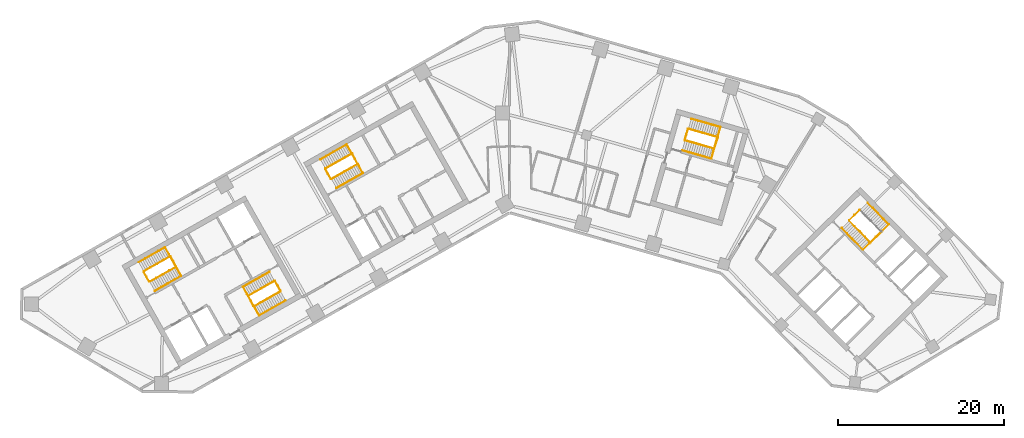
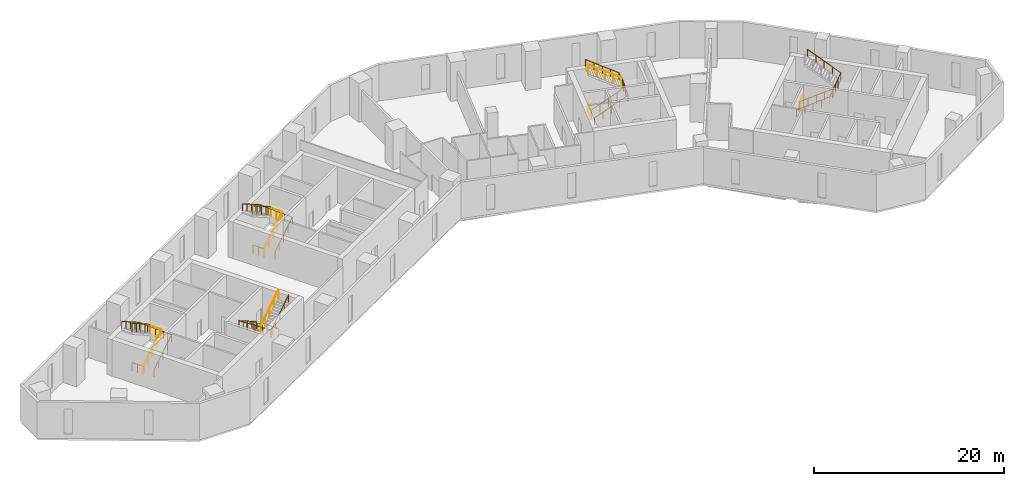
# One storey, part 9 of 10: 19 railings.
"""IFC4 building model written with IfcOpenShell, lengths in metres."""

import ifcopenshell
import ifcopenshell.guid

model = None  # the IFC model being written
_history = None  # IfcOwnerHistory: only IFC2X3 demands one
_inside = {}  # id of a spatial element -> (the spatial element, [elements in it])
_under = {}  # id of a project, library or spatial element -> (it, [spatial elements below it])
_declared = {}  # id of a project -> (the project, [libraries it declares])
_typed = {}  # id of a type object -> (the type object, [elements of that type])
_made_of = {}  # id of a material, layer set ... -> (it, [elements and type objects made of it])


def new_model(schema):
    """Start an empty IFC model of exactly this schema.

    Asked for "IFC4X3", IfcOpenShell would pick the latest addendum, in which some entities
    have other attributes; the version numbers below select the first issue.
    IFC2X3 requires an IfcOwnerHistory on every rooted entity: one is made here for all.
    """
    global model, _history
    if schema == "IFC4X3":
        model = ifcopenshell.file(schema_version=(4, 3, 0, 0))
    else:
        model = ifcopenshell.file(schema=schema)
    _inside.clear()
    _under.clear()
    _declared.clear()
    _typed.clear()
    _made_of.clear()
    _history = None
    if model.schema == "IFC2X3":
        org = make("IfcOrganization", Name="unknown")
        user = make(
            "IfcPersonAndOrganization",
            ThePerson=make("IfcPerson", FamilyName="unknown"),
            TheOrganization=org,
        )
        app = make(
            "IfcApplication",
            ApplicationDeveloper=org,
            Version="unknown",
            ApplicationFullName="unknown",
            ApplicationIdentifier="unknown",
        )
        _history = make(
            "IfcOwnerHistory",
            OwningUser=user,
            OwningApplication=app,
            ChangeAction="ADDED",
            CreationDate=0,
        )
    return model


def make(cls, **values):
    """One entity of the class cls with the attributes given. An attribute that is None is left unset."""
    return model.create_entity(
        cls, **{name: value for name, value in values.items() if value is not None}
    )


def rooted(cls, **values):
    """An entity with a GlobalId (a new one), such as an element, a storey or a relation."""
    return make(cls, GlobalId=ifcopenshell.guid.new(), OwnerHistory=_history, **values)


def si_unit(unit_type, name, prefix=None):
    """IfcSIUnit, for example si_unit("LENGTHUNIT", "METRE", prefix="MILLI")."""
    return make("IfcSIUnit", UnitType=unit_type, Prefix=prefix, Name=name)


def assignment(units):
    """IfcUnitAssignment: the units of a project."""
    return None if units is None else make("IfcUnitAssignment", Units=units)


def point(xyz):
    """IfcCartesianPoint."""
    return None if xyz is None else make("IfcCartesianPoint", Coordinates=xyz)


def direction(xyz):
    """IfcDirection."""
    return None if xyz is None else make("IfcDirection", DirectionRatios=xyz)


def frame(location, z_axis=None, x_axis=None):
    """IfcAxis2Placement3D, a coordinate frame: its origin and axes. An axis left out is left unset."""
    return make(
        "IfcAxis2Placement3D",
        Location=point(location),
        Axis=direction(z_axis),
        RefDirection=direction(x_axis),
    )


def frame_2d(location, x_axis=None):
    """IfcAxis2Placement2D, a coordinate frame in the plane: its origin and x axis."""
    return make(
        "IfcAxis2Placement2D", Location=point(location), RefDirection=direction(x_axis)
    )


def origin():
    """The frame at (0, 0, 0) with its axes left unset."""
    return frame((0.0, 0.0, 0.0))


def origin_2d():
    """The frame at (0, 0) in the plane with its x axis left unset."""
    return frame_2d((0.0, 0.0))


def place(relative_to, where):
    """IfcLocalPlacement: puts the frame where relative to a parent placement (None: the world)."""
    return make(
        "IfcLocalPlacement", PlacementRelTo=relative_to, RelativePlacement=where
    )


def context(
    kind, dimensions, precision=None, world=None, true_north=None, identifier=None
):
    """IfcGeometricRepresentationContext, for example the 3D "Model" context."""
    return make(
        "IfcGeometricRepresentationContext",
        ContextIdentifier=identifier,
        ContextType=kind,
        CoordinateSpaceDimension=dimensions,
        Precision=precision,
        WorldCoordinateSystem=world,
        TrueNorth=true_north,
    )


def subcontext(parent, identifier, kind, view, scale=None):
    """IfcGeometricRepresentationSubContext, for example "Body" below "Model"."""
    return make(
        "IfcGeometricRepresentationSubContext",
        ContextIdentifier=identifier,
        ContextType=kind,
        ParentContext=parent,
        TargetScale=scale,
        TargetView=view,
    )


def project(units=None, contexts=None):
    """IfcProject with its units and contexts."""
    return rooted(
        "IfcProject",
        Name="project",
        RepresentationContexts=contexts,
        UnitsInContext=assignment(units),
    )


def spatial(cls, under=None, at=None, **own):
    """A site, building, storey or space (cls), placed at a placement, below another one or the project."""
    s = rooted(cls, ObjectPlacement=at, **own)
    if under is not None:
        _under.setdefault(under.id(), (under, []))[1].append(s)
    return s


def profile(cls, at=None, kind="AREA", **sizes):
    """A parametric profile (cls). Its sizes go by their IFC names, for example OverallWidth=200.0."""
    return make(cls, ProfileType=kind, Position=at, **sizes)


def circle(**sizes):
    """IfcCircleProfileDef."""
    return profile("IfcCircleProfileDef", **sizes)


def extrude(swept, where, along, depth):
    """IfcExtrudedAreaSolid: the profile swept, set in the frame where, extruded along a direction by depth."""
    return make(
        "IfcExtrudedAreaSolid",
        SweptArea=swept,
        Position=where,
        ExtrudedDirection=direction(along),
        Depth=depth,
    )


def shape(context_of_items, identifier, shape_type, items):
    """IfcShapeRepresentation: the items that make up one representation, for example the "Body"."""
    return make(
        "IfcShapeRepresentation",
        ContextOfItems=context_of_items,
        RepresentationIdentifier=identifier,
        RepresentationType=shape_type,
        Items=items,
    )


def material(Name=None, Category=None):
    """IfcMaterial."""
    return make("IfcMaterial", Name=Name, Category=Category)


def made_of(thing, what):
    """Note that an element or type object is made of a material, layer set ...; save() writes the relation."""
    if what is not None:
        _made_of.setdefault(what.id(), (what, []))[1].append(thing)
    return thing


def type_object(cls, material=None, **own):
    """A type object (cls), such as IfcWallType, which elements share."""
    return made_of(rooted(cls, **own), material)


def element(
    cls,
    number,
    at=None,
    inside=None,
    cuts=None,
    type_object=None,
    material=None,
    context=None,
    identifier="Body",
    shape_type=None,
    held_by="IfcProductDefinitionShape",
    body=None,
    shapes=None,
    **own,
):
    """One element of the class cls, such as IfcWall. Its Tag is "e" and its number.

    at: its placement. inside: the storey or other place that contains it. cuts: it is an
    opening in that element (IfcRelVoidsElement). A single representation is given by context,
    identifier, shape_type and body (its items); several are given by shapes. held_by: the class
    of the entity that holds the representations. save() writes the other relations.
    """
    e = rooted(cls, Tag="e%d" % number, ObjectPlacement=at, **own)
    if body is not None:
        shapes = [shape(context, identifier, shape_type, body)]
    if shapes is not None:
        e.Representation = make(held_by, Representations=shapes)
    if inside is not None:
        _inside.setdefault(inside.id(), (inside, []))[1].append(e)
    if cuts is not None:
        rooted(
            "IfcRelVoidsElement", RelatingBuildingElement=cuts, RelatedOpeningElement=e
        )
    if type_object is not None:
        _typed.setdefault(type_object.id(), (type_object, []))[1].append(e)
    return made_of(e, material)


def aggregate(whole, parts):
    """IfcRelAggregates: a whole, such as a stair, and the parts it consists of."""
    return rooted("IfcRelAggregates", RelatingObject=whole, RelatedObjects=parts)


def save(model, path):
    """Write the relations noted so far, then the file.

    IfcRelAggregates (storeys below a building ...), IfcRelContainedInSpatialStructure (elements
    in a storey), IfcRelDefinesByType, IfcRelAssociatesMaterial and IfcRelDeclares: one each for
    every whole, place, type object, material and project.
    """
    for whole, parts in _under.values():
        aggregate(whole, parts)
    for where, things in _inside.values():
        rooted(
            "IfcRelContainedInSpatialStructure",
            RelatedElements=things,
            RelatingStructure=where,
        )
    for kind, things in _typed.values():
        rooted("IfcRelDefinesByType", RelatedObjects=things, RelatingType=kind)
    for what, things in _made_of.values():
        rooted("IfcRelAssociatesMaterial", RelatedObjects=things, RelatingMaterial=what)
    for by, libraries in _declared.values():
        rooted("IfcRelDeclares", RelatingContext=by, RelatedDefinitions=libraries)
    model.write(path)


model = new_model("IFC4")

# Units and contexts
model_context = context("Model", 3, precision=1e-05, world=origin(), true_north=direction((0.0, 1.0)))
body_context = subcontext(model_context, "Body", "Model", "MODEL_VIEW")
ifc_project = project(units=[si_unit("LENGTHUNIT", "METRE"), si_unit("AREAUNIT", "SQUARE_METRE"), si_unit("VOLUMEUNIT", "CUBIC_METRE"), si_unit("PLANEANGLEUNIT", "RADIAN"), si_unit("MASSUNIT", "GRAM", prefix="KILO")], contexts=[model_context])

# Site, building, storey
site_placement = place(None, origin())
site = spatial("IfcSite", under=ifc_project, at=site_placement, CompositionType="ELEMENT")
building_placement = place(site_placement, origin())
building = spatial("IfcBuilding", under=site, at=building_placement, Name="Binnacle Exchange Tower", CompositionType="ELEMENT")
storey_placement = place(building_placement, frame((0.0, 0.0, 51.5)))
storey = spatial("IfcBuildingStorey", under=building, at=storey_placement, Name="L10", CompositionType="ELEMENT", Elevation=51.5)

# Railings
ifc_material_1 = material(Name="Steel guard rail", Category="steel")
railing_type_1 = type_object("IfcRailingType", Name="STAIR GUARD 1100", PredefinedType="GUARDRAIL", material=ifc_material_1)
railing_1_placement = place(storey_placement, frame((-43.26171875, 39.71728515625, 0.178466796875)))
element("IfcRailing", 1, at=railing_1_placement, inside=storey, type_object=railing_type_1, Name="L10 STA1 stair guard 1", PredefinedType="GUARDRAIL", context=body_context, shape_type="SweptSolid", body=[
    extrude(circle(Radius=0.02392578125, at=origin_2d()), frame((0.0, 0.0, 1.076171875), z_axis=(0.733795554141, 0.415191658331, 0.537735968274), x_axis=(-0.492450612189, 0.870340390052, 0.0)), (0.0, 0.0, 1.0), 4.317138671875),
    extrude(circle(Radius=0.02392578125, at=origin_2d()), frame((3.16796875, 1.79248046875, 3.3974609375), z_axis=(-0.460963092712, 0.887419307406, 0.0), x_axis=(-0.887419307406, -0.460963092712, 0.0)), (0.0, 0.0, 1.0), 1.40087890625),
    extrude(circle(Radius=0.02099609375, at=origin_2d()), origin(), (0.0, 0.0, 1.0), 1.052001953125),
    extrude(circle(Radius=0.02099609375, at=origin_2d()), frame((0.7919921875, 0.4482421875, 0.580322265625)), (0.0, 0.0, 1.0), 1.052001953125),
    extrude(circle(Radius=0.02099609375, at=origin_2d()), frame((1.583984375, 0.896240234375, 1.16064453125)), (0.0, 0.0, 1.0), 1.052001953125),
    extrude(circle(Radius=0.02099609375, at=origin_2d()), frame((2.3759765625, 1.34423828125, 1.7412109375)), (0.0, 0.0, 1.0), 1.052001953125),
    extrude(circle(Radius=0.02099609375, at=origin_2d()), frame((3.16796875, 1.79248046875, 2.321533203125)), (0.0, 0.0, 1.0), 1.052001953125),
    extrude(circle(Radius=0.02099609375, at=origin_2d()), frame((2.84521484375, 2.4140625, 2.321533203125)), (0.0, 0.0, 1.0), 1.052001953125),
    extrude(circle(Radius=0.02099609375, at=origin_2d()), frame((2.522216796875, 3.03564453125, 2.321533203125)), (0.0, 0.0, 1.0), 1.052001953125),
])
railing_2_placement = place(storey_placement, frame((-40.8076171875, 42.771728515625, 2.678466796875)))
element("IfcRailing", 2, at=railing_2_placement, inside=storey, type_object=railing_type_1, Name="L10 STA1 stair guard 2", PredefinedType="GUARDRAIL", context=body_context, shape_type="SweptSolid", body=[
    extrude(circle(Radius=0.02392578125, at=origin_2d()), frame((0.0, 0.0, 1.076171875), z_axis=(-0.733821652932, -0.415174429824, 0.537713654753), x_axis=(0.492421866095, -0.870356654361, 0.0)), (0.0, 0.0, 1.0), 4.3173828125),
    extrude(circle(Radius=0.02099609375, at=origin_2d()), origin(), (0.0, 0.0, 1.0), 1.052001953125),
    extrude(circle(Radius=0.02099609375, at=origin_2d()), frame((-0.7919921875, -0.4482421875, 0.580322265625)), (0.0, 0.0, 1.0), 1.052001953125),
    extrude(circle(Radius=0.02099609375, at=origin_2d()), frame((-1.583984375, -0.896240234375, 1.16064453125)), (0.0, 0.0, 1.0), 1.052001953125),
    extrude(circle(Radius=0.02099609375, at=origin_2d()), frame((-2.376220703125, -1.34423828125, 1.7412109375)), (0.0, 0.0, 1.0), 1.052001953125),
    extrude(circle(Radius=0.02099609375, at=origin_2d()), frame((-3.168212890625, -1.79248046875, 2.321533203125)), (0.0, 0.0, 1.0), 1.052001953125),
])
railing_3_placement = place(storey_placement, frame((-43.329833984375, 39.736328125, 0.0)))
element("IfcRailing", 3, at=railing_3_placement, inside=storey, type_object=railing_type_1, Name="L10 STA1 stair guard 3", PredefinedType="GUARDRAIL", context=body_context, shape_type="SweptSolid", body=[
    extrude(circle(Radius=0.02392578125, at=origin_2d()), frame((0.0, 0.0, 1.076171875), z_axis=(-0.4924922531, 0.870316827734, 0.0), x_axis=(-0.870316827734, -0.4924922531, 0.0)), (0.0, 0.0, 1.0), 1.349853515625),
    extrude(circle(Radius=0.02099609375, at=origin_2d()), origin(), (0.0, 0.0, 1.0), 1.052001953125),
    extrude(circle(Radius=0.02099609375, at=origin_2d()), frame((-0.33251953125, 0.58740234375, 0.0)), (0.0, 0.0, 1.0), 1.052001953125),
    extrude(circle(Radius=0.02099609375, at=origin_2d()), frame((-0.664794921875, 1.1748046875, 0.0)), (0.0, 0.0, 1.0), 1.052001953125),
])
railing_4_placement = place(storey_placement, frame((-28.265380859375, 39.814453125, 0.178466796875)))
element("IfcRailing", 4, at=railing_4_placement, inside=storey, type_object=railing_type_1, Name="L10 STA2 stair guard 1", PredefinedType="GUARDRAIL", context=body_context, shape_type="SweptSolid", body=[
    extrude(circle(Radius=0.02392578125, at=origin_2d()), frame((0.0, 0.0, 1.076171875), z_axis=(-0.733821652932, -0.415174429824, 0.537713654753), x_axis=(0.492421866095, -0.870356654361, 0.0)), (0.0, 0.0, 1.0), 4.3173828125),
    extrude(circle(Radius=0.02392578125, at=origin_2d()), frame((-3.168212890625, -1.79248046875, 3.3974609375), z_axis=(0.461100321709, -0.887348011391, 0.0), x_axis=(0.887348011391, 0.461100321709, 0.0)), (0.0, 0.0, 1.0), 1.40087890625),
    extrude(circle(Radius=0.02099609375, at=origin_2d()), origin(), (0.0, 0.0, 1.0), 1.052001953125),
    extrude(circle(Radius=0.02099609375, at=origin_2d()), frame((-0.7919921875, -0.4482421875, 0.580322265625)), (0.0, 0.0, 1.0), 1.052001953125),
    extrude(circle(Radius=0.02099609375, at=origin_2d()), frame((-1.583984375, -0.896240234375, 1.16064453125)), (0.0, 0.0, 1.0), 1.052001953125),
    extrude(circle(Radius=0.02099609375, at=origin_2d()), frame((-2.376220703125, -1.34423828125, 1.7412109375)), (0.0, 0.0, 1.0), 1.052001953125),
    extrude(circle(Radius=0.02099609375, at=origin_2d()), frame((-3.168212890625, -1.79248046875, 2.321533203125)), (0.0, 0.0, 1.0), 1.052001953125),
    extrude(circle(Radius=0.02099609375, at=origin_2d()), frame((-2.84521484375, -2.4140625, 2.321533203125)), (0.0, 0.0, 1.0), 1.052001953125),
    extrude(circle(Radius=0.02099609375, at=origin_2d()), frame((-2.522216796875, -3.03564453125, 2.321533203125)), (0.0, 0.0, 1.0), 1.052001953125),
])
railing_5_placement = place(storey_placement, frame((-30.719482421875, 36.760009765625, 2.678466796875)))
element("IfcRailing", 5, at=railing_5_placement, inside=storey, type_object=railing_type_1, Name="L10 STA2 stair guard 2", PredefinedType="GUARDRAIL", context=body_context, shape_type="SweptSolid", body=[
    extrude(circle(Radius=0.02392578125, at=origin_2d()), frame((0.0, 0.0, 1.076171875), z_axis=(0.733795554141, 0.415191658331, 0.537735968274), x_axis=(-0.492450612189, 0.870340390052, 0.0)), (0.0, 0.0, 1.0), 4.317138671875),
    extrude(circle(Radius=0.02099609375, at=origin_2d()), origin(), (0.0, 0.0, 1.0), 1.052001953125),
    extrude(circle(Radius=0.02099609375, at=origin_2d()), frame((0.7919921875, 0.4482421875, 0.580322265625)), (0.0, 0.0, 1.0), 1.052001953125),
    extrude(circle(Radius=0.02099609375, at=origin_2d()), frame((1.583984375, 0.896240234375, 1.16064453125)), (0.0, 0.0, 1.0), 1.052001953125),
    extrude(circle(Radius=0.02099609375, at=origin_2d()), frame((2.3759765625, 1.34423828125, 1.7412109375)), (0.0, 0.0, 1.0), 1.052001953125),
    extrude(circle(Radius=0.02099609375, at=origin_2d()), frame((3.16796875, 1.79248046875, 2.321533203125)), (0.0, 0.0, 1.0), 1.052001953125),
])
railing_6_placement = place(storey_placement, frame((-28.197265625, 39.795654296875, 0.0)))
element("IfcRailing", 6, at=railing_6_placement, inside=storey, type_object=railing_type_1, Name="L10 STA2 stair guard 3", PredefinedType="GUARDRAIL", context=body_context, shape_type="SweptSolid", body=[
    extrude(circle(Radius=0.02392578125, at=origin_2d()), frame((0.0, 0.0, 1.076171875), z_axis=(0.49241474071, -0.870360685654, 0.0), x_axis=(0.870360685654, 0.49241474071, 0.0)), (0.0, 0.0, 1.0), 1.35009765625),
    extrude(circle(Radius=0.02099609375, at=origin_2d()), origin(), (0.0, 0.0, 1.0), 1.052001953125),
    extrude(circle(Radius=0.02099609375, at=origin_2d()), frame((0.33251953125, -0.58740234375, 0.0)), (0.0, 0.0, 1.0), 1.052001953125),
    extrude(circle(Radius=0.02099609375, at=origin_2d()), frame((0.664794921875, -1.175048828125, 0.0)), (0.0, 0.0, 1.0), 1.052001953125),
])
railing_7_placement = place(storey_placement, frame((40.822509765625, 47.046875, 0.178466796875)))
element("IfcRailing", 7, at=railing_7_placement, inside=storey, type_object=railing_type_1, Name="L10 STB1 stair guard 1", PredefinedType="GUARDRAIL", context=body_context, shape_type="SweptSolid", body=[
    extrude(circle(Radius=0.02392578125, at=origin_2d()), frame((0.0, 0.0, 1.076171875), z_axis=(0.590946962671, -0.60135215321, 0.537733461056), x_axis=(0.713250539553, 0.700909172309, 0.0)), (0.0, 0.0, 1.0), 4.317138671875),
    extrude(circle(Radius=0.02392578125, at=origin_2d()), frame((2.55126953125, -2.59619140625, 3.3974609375), z_axis=(0.732527851538, 0.680737061369, 0.0), x_axis=(-0.680737061369, 0.732527851538, 0.0)), (0.0, 0.0, 1.0), 1.80078125),
    extrude(circle(Radius=0.02099609375, at=origin_2d()), origin(), (0.0, 0.0, 1.0), 1.052001953125),
    extrude(circle(Radius=0.02099609375, at=origin_2d()), frame((0.6376953125, -0.64892578125, 0.580322265625)), (0.0, 0.0, 1.0), 1.052001953125),
    extrude(circle(Radius=0.02099609375, at=origin_2d()), frame((1.275634765625, -1.298095703125, 1.16064453125)), (0.0, 0.0, 1.0), 1.052001953125),
    extrude(circle(Radius=0.02099609375, at=origin_2d()), frame((1.91357421875, -1.947265625, 1.7412109375)), (0.0, 0.0, 1.0), 1.052001953125),
    extrude(circle(Radius=0.02099609375, at=origin_2d()), frame((2.55126953125, -2.59619140625, 2.321533203125)), (0.0, 0.0, 1.0), 1.052001953125),
    extrude(circle(Radius=0.02099609375, at=origin_2d()), frame((3.2109375, -1.9833984375, 2.321533203125)), (0.0, 0.0, 1.0), 1.052001953125),
    extrude(circle(Radius=0.02099609375, at=origin_2d()), frame((3.870361328125, -1.370361328125, 2.321533203125)), (0.0, 0.0, 1.0), 1.052001953125),
])
railing_8_placement = place(storey_placement, frame((40.8232421875, 47.117431640625, 0.0)))
element("IfcRailing", 8, at=railing_8_placement, inside=storey, type_object=railing_type_1, Name="L10 STB1 stair guard 3", PredefinedType="GUARDRAIL", context=body_context, shape_type="SweptSolid", body=[
    extrude(circle(Radius=0.02392578125, at=origin_2d()), frame((0.0, 0.0, 1.076171875), z_axis=(0.713218950569, 0.700941316052, 0.0), x_axis=(-0.700941316052, 0.713218950569, 0.0)), (0.0, 0.0, 1.0), 1.75),
    extrude(circle(Radius=0.02099609375, at=origin_2d()), origin(), (0.0, 0.0, 1.0), 1.052001953125),
    extrude(circle(Radius=0.02099609375, at=origin_2d()), frame((0.6240234375, 0.61328125, 0.0)), (0.0, 0.0, 1.0), 1.052001953125),
    extrude(circle(Radius=0.02099609375, at=origin_2d()), frame((1.248046875, 1.2265625, 0.0)), (0.0, 0.0, 1.0), 1.052001953125),
])
railing_9_placement = place(storey_placement, frame((-21.423828125, 52.07275390625, 0.178466796875)))
element("IfcRailing", 9, at=railing_9_placement, inside=storey, type_object=railing_type_1, Name="L10 STC1 stair guard 1", PredefinedType="GUARDRAIL", context=body_context, shape_type="SweptSolid", body=[
    extrude(circle(Radius=0.02392578125, at=origin_2d()), frame((0.0, 0.0, 1.076171875), z_axis=(0.733838880464, 0.415127627455, 0.537726278364), x_axis=(-0.492371057291, 0.870385398511, 0.0)), (0.0, 0.0, 1.0), 4.3173828125),
    extrude(circle(Radius=0.02392578125, at=origin_2d()), frame((3.168212890625, 1.792236328125, 3.3974609375), z_axis=(-0.461100321709, 0.887348011391, 0.0), x_axis=(-0.887348011391, -0.461100321709, 0.0)), (0.0, 0.0, 1.0), 1.40087890625),
    extrude(circle(Radius=0.02099609375, at=origin_2d()), origin(), (0.0, 0.0, 1.0), 1.052001953125),
    extrude(circle(Radius=0.02099609375, at=origin_2d()), frame((0.7919921875, 0.447998046875, 0.580322265625)), (0.0, 0.0, 1.0), 1.052001953125),
    extrude(circle(Radius=0.02099609375, at=origin_2d()), frame((1.583984375, 0.89599609375, 1.16064453125)), (0.0, 0.0, 1.0), 1.052001953125),
    extrude(circle(Radius=0.02099609375, at=origin_2d()), frame((2.376220703125, 1.34423828125, 1.7412109375)), (0.0, 0.0, 1.0), 1.052001953125),
    extrude(circle(Radius=0.02099609375, at=origin_2d()), frame((3.168212890625, 1.792236328125, 2.321533203125)), (0.0, 0.0, 1.0), 1.052001953125),
    extrude(circle(Radius=0.02099609375, at=origin_2d()), frame((2.84521484375, 2.413818359375, 2.321533203125)), (0.0, 0.0, 1.0), 1.052001953125),
    extrude(circle(Radius=0.02099609375, at=origin_2d()), frame((2.522216796875, 3.035400390625, 2.321533203125)), (0.0, 0.0, 1.0), 1.052001953125),
])
railing_10_placement = place(storey_placement, frame((-18.9697265625, 55.126953125, 2.678466796875)))
element("IfcRailing", 10, at=railing_10_placement, inside=storey, type_object=railing_type_1, Name="L10 STC1 stair guard 2", PredefinedType="GUARDRAIL", context=body_context, shape_type="SweptSolid", body=[
    extrude(circle(Radius=0.02392578125, at=origin_2d()), frame((0.0, 0.0, 1.076171875), z_axis=(-0.733812782489, -0.415144854829, 0.537748593457), x_axis=(0.492399802317, -0.870369137021, 0.0)), (0.0, 0.0, 1.0), 4.317138671875),
    extrude(circle(Radius=0.02099609375, at=origin_2d()), origin(), (0.0, 0.0, 1.0), 1.052001953125),
    extrude(circle(Radius=0.02099609375, at=origin_2d()), frame((-0.7919921875, -0.447998046875, 0.580322265625)), (0.0, 0.0, 1.0), 1.052001953125),
    extrude(circle(Radius=0.02099609375, at=origin_2d()), frame((-1.583984375, -0.89599609375, 1.16064453125)), (0.0, 0.0, 1.0), 1.052001953125),
    extrude(circle(Radius=0.02099609375, at=origin_2d()), frame((-2.3759765625, -1.34423828125, 1.7412109375)), (0.0, 0.0, 1.0), 1.052001953125),
    extrude(circle(Radius=0.02099609375, at=origin_2d()), frame((-3.16796875, -1.792236328125, 2.321533203125)), (0.0, 0.0, 1.0), 1.052001953125),
])
railing_11_placement = place(storey_placement, frame((-21.491943359375, 52.091552734375, 0.0)))
element("IfcRailing", 11, at=railing_11_placement, inside=storey, type_object=railing_type_1, Name="L10 STC1 stair guard 3", PredefinedType="GUARDRAIL", context=body_context, shape_type="SweptSolid", body=[
    extrude(circle(Radius=0.02392578125, at=origin_2d()), frame((0.0, 0.0, 1.076171875), z_axis=(-0.49241474071, 0.870360685654, 0.0), x_axis=(-0.870360685654, -0.49241474071, 0.0)), (0.0, 0.0, 1.0), 1.35009765625),
    extrude(circle(Radius=0.02099609375, at=origin_2d()), origin(), (0.0, 0.0, 1.0), 1.052001953125),
    extrude(circle(Radius=0.02099609375, at=origin_2d()), frame((-0.33251953125, 0.58740234375, 0.0)), (0.0, 0.0, 1.0), 1.052001953125),
    extrude(circle(Radius=0.02099609375, at=origin_2d()), frame((-0.664794921875, 1.175048828125, 0.0)), (0.0, 0.0, 1.0), 1.052001953125),
])
railing_12_placement = place(storey_placement, frame((21.086669921875, 56.71044921875, 0.178466796875)))
element("IfcRailing", 12, at=railing_12_placement, inside=storey, type_object=railing_type_1, Name="L10 STD1 stair guard 1", PredefinedType="GUARDRAIL", context=body_context, shape_type="SweptSolid", body=[
    extrude(circle(Radius=0.02392578125, at=origin_2d()), frame((0.0, 0.0, 1.076171875), z_axis=(0.810455892038, -0.232415135102, 0.537721537635), x_axis=(0.275659984683, 0.961255206927, 0.0)), (0.0, 0.0, 1.0), 4.3173828125),
    extrude(circle(Radius=0.02392578125, at=origin_2d()), frame((3.4990234375, -1.00341796875, 3.3974609375), z_axis=(0.309684985722, 0.950839213337, 0.0), x_axis=(-0.950839213337, 0.309684985722, 0.0)), (0.0, 0.0, 1.0), 1.40087890625),
    extrude(circle(Radius=0.02099609375, at=origin_2d()), origin(), (0.0, 0.0, 1.0), 1.052001953125),
    extrude(circle(Radius=0.02099609375, at=origin_2d()), frame((0.874755859375, -0.2509765625, 0.580322265625)), (0.0, 0.0, 1.0), 1.052001953125),
    extrude(circle(Radius=0.02099609375, at=origin_2d()), frame((1.74951171875, -0.501708984375, 1.16064453125)), (0.0, 0.0, 1.0), 1.052001953125),
    extrude(circle(Radius=0.02099609375, at=origin_2d()), frame((2.624267578125, -0.75244140625, 1.7412109375)), (0.0, 0.0, 1.0), 1.052001953125),
    extrude(circle(Radius=0.02099609375, at=origin_2d()), frame((3.4990234375, -1.00341796875, 2.321533203125)), (0.0, 0.0, 1.0), 1.052001953125),
    extrude(circle(Radius=0.02099609375, at=origin_2d()), frame((3.7158203125, -0.33740234375, 2.321533203125)), (0.0, 0.0, 1.0), 1.052001953125),
    extrude(circle(Radius=0.02099609375, at=origin_2d()), frame((3.932861328125, 0.32861328125, 2.321533203125)), (0.0, 0.0, 1.0), 1.052001953125),
])
railing_13_placement = place(storey_placement, frame((24.9853515625, 57.100830078125, 2.678466796875)))
element("IfcRailing", 13, at=railing_13_placement, inside=storey, type_object=railing_type_1, Name="L10 STD1 stair guard 2", PredefinedType="GUARDRAIL", context=body_context, shape_type="SweptSolid", body=[
    extrude(circle(Radius=0.02392578125, at=origin_2d()), frame((0.0, 0.0, 1.076171875), z_axis=(-0.810455892038, 0.232415135102, 0.537721537635), x_axis=(-0.275659984683, -0.961255206927, 0.0)), (0.0, 0.0, 1.0), 4.3173828125),
    extrude(circle(Radius=0.02099609375, at=origin_2d()), origin(), (0.0, 0.0, 1.0), 1.052001953125),
    extrude(circle(Radius=0.02099609375, at=origin_2d()), frame((-0.874755859375, 0.2509765625, 0.580322265625)), (0.0, 0.0, 1.0), 1.052001953125),
    extrude(circle(Radius=0.02099609375, at=origin_2d()), frame((-1.74951171875, 0.501708984375, 1.16064453125)), (0.0, 0.0, 1.0), 1.052001953125),
    extrude(circle(Radius=0.02099609375, at=origin_2d()), frame((-2.624267578125, 0.75244140625, 1.7412109375)), (0.0, 0.0, 1.0), 1.052001953125),
    extrude(circle(Radius=0.02099609375, at=origin_2d()), frame((-3.4990234375, 1.00341796875, 2.321533203125)), (0.0, 0.0, 1.0), 1.052001953125),
])
railing_14_placement = place(storey_placement, frame((21.05224609375, 56.772216796875, 0.0)))
element("IfcRailing", 14, at=railing_14_placement, inside=storey, type_object=railing_type_1, Name="L10 STD1 stair guard 3", PredefinedType="GUARDRAIL", context=body_context, shape_type="SweptSolid", body=[
    extrude(circle(Radius=0.02392578125, at=origin_2d()), frame((0.0, 0.0, 1.076171875), z_axis=(0.275795817769, 0.961216243569, 0.0), x_axis=(-0.961216243569, 0.275795817769, 0.0)), (0.0, 0.0, 1.0), 1.349853515625),
    extrude(circle(Radius=0.02099609375, at=origin_2d()), origin(), (0.0, 0.0, 1.0), 1.052001953125),
    extrude(circle(Radius=0.02099609375, at=origin_2d()), frame((0.18603515625, 0.64892578125, 0.0)), (0.0, 0.0, 1.0), 1.052001953125),
    extrude(circle(Radius=0.02099609375, at=origin_2d()), frame((0.372314453125, 1.297607421875, 0.0)), (0.0, 0.0, 1.0), 1.052001953125),
])
ifc_material_2 = material(Name="Steel handrail", Category="steel")
railing_type_2 = type_object("IfcRailingType", Name="STAIR HANDRAIL 900", PredefinedType="HANDRAIL", material=ifc_material_2)
railing_15_placement = place(storey_placement, frame((-42.646240234375, 38.62939453125, 0.178466796875)))
element("IfcRailing", 15, at=railing_15_placement, inside=storey, type_object=railing_type_2, Name="L10 STA1 stair handrail 1", PredefinedType="HANDRAIL", context=body_context, shape_type="SweptSolid", body=[
    extrude(circle(Radius=0.02392578125, at=origin_2d()), frame((0.0, 0.0, 0.8759765625), z_axis=(0.733821652932, 0.415174429824, 0.537713654753), x_axis=(-0.492421866095, 0.870356654361, 0.0)), (0.0, 0.0, 1.0), 4.3173828125),
    extrude(circle(Radius=0.02392578125, at=origin_2d()), frame((3.168212890625, 1.79248046875, 3.197265625), z_axis=(-0.491985021148, 0.869432866815, 0.045135674003), x_axis=(-0.870319839224, -0.492486931251, 0.0)), (0.0, 0.0, 1.0), 3.9541015625),
    extrude(circle(Radius=0.02392578125, at=origin_2d()), frame((1.222900390625, 5.230224609375, 3.3759765625), z_axis=(-0.733812782489, -0.415144854829, 0.537748593457), x_axis=(0.492399802317, -0.870369137021, 0.0)), (0.0, 0.0, 1.0), 4.317138671875),
    extrude(circle(Radius=0.02099609375, at=origin_2d()), origin(), (0.0, 0.0, 1.0), 0.851806640625),
    extrude(circle(Radius=0.02099609375, at=origin_2d()), frame((0.7919921875, 0.4482421875, 0.580322265625)), (0.0, 0.0, 1.0), 0.851806640625),
    extrude(circle(Radius=0.02099609375, at=origin_2d()), frame((1.583984375, 0.896240234375, 1.16064453125)), (0.0, 0.0, 1.0), 0.851806640625),
    extrude(circle(Radius=0.02099609375, at=origin_2d()), frame((2.376220703125, 1.34423828125, 1.7412109375)), (0.0, 0.0, 1.0), 0.851806640625),
    extrude(circle(Radius=0.02099609375, at=origin_2d()), frame((3.168212890625, 1.79248046875, 2.321533203125)), (0.0, 0.0, 1.0), 0.851806640625),
    extrude(circle(Radius=0.02099609375, at=origin_2d()), frame((2.681884765625, 2.65185546875, 2.3662109375)), (0.0, 0.0, 1.0), 0.851806640625),
    extrude(circle(Radius=0.02099609375, at=origin_2d()), frame((2.195556640625, 3.51123046875, 2.41064453125)), (0.0, 0.0, 1.0), 0.851806640625),
    extrude(circle(Radius=0.02099609375, at=origin_2d()), frame((1.709228515625, 4.370849609375, 2.455322265625)), (0.0, 0.0, 1.0), 0.851806640625),
    extrude(circle(Radius=0.02099609375, at=origin_2d()), frame((1.222900390625, 5.230224609375, 2.5)), (0.0, 0.0, 1.0), 0.851806640625),
    extrude(circle(Radius=0.02099609375, at=origin_2d()), frame((0.430908203125, 4.7822265625, 3.080322265625)), (0.0, 0.0, 1.0), 0.851806640625),
    extrude(circle(Radius=0.02099609375, at=origin_2d()), frame((-0.361083984375, 4.333984375, 3.66064453125)), (0.0, 0.0, 1.0), 0.851806640625),
    extrude(circle(Radius=0.02099609375, at=origin_2d()), frame((-1.153076171875, 3.885986328125, 4.2412109375)), (0.0, 0.0, 1.0), 0.851806640625),
    extrude(circle(Radius=0.02099609375, at=origin_2d()), frame((-1.945068359375, 3.43798828125, 4.821533203125)), (0.0, 0.0, 1.0), 0.851806640625),
])
railing_16_placement = place(storey_placement, frame((-28.880859375, 40.90234375, 0.178466796875)))
element("IfcRailing", 16, at=railing_16_placement, inside=storey, type_object=railing_type_2, Name="L10 STA2 stair handrail 1", PredefinedType="HANDRAIL", context=body_context, shape_type="SweptSolid", body=[
    extrude(circle(Radius=0.02392578125, at=origin_2d()), frame((0.0, 0.0, 0.8759765625), z_axis=(-0.733838880464, -0.415127627455, 0.537726278364), x_axis=(0.492371057291, -0.870385398511, 0.0)), (0.0, 0.0, 1.0), 4.3173828125),
    extrude(circle(Radius=0.02392578125, at=origin_2d()), frame((-3.168212890625, -1.792236328125, 3.197265625), z_axis=(0.491911810019, -0.86947434526, 0.045134621956), x_axis=(0.870361318571, 0.492413622004, 0.0)), (0.0, 0.0, 1.0), 3.9541015625),
    extrude(circle(Radius=0.02392578125, at=origin_2d()), frame((-1.22314453125, -5.230224609375, 3.3759765625), z_axis=(0.733821652932, 0.415174429824, 0.537713654753), x_axis=(-0.492421866095, 0.870356654361, 0.0)), (0.0, 0.0, 1.0), 4.3173828125),
    extrude(circle(Radius=0.02099609375, at=origin_2d()), origin(), (0.0, 0.0, 1.0), 0.851806640625),
    extrude(circle(Radius=0.02099609375, at=origin_2d()), frame((-0.7919921875, -0.447998046875, 0.580322265625)), (0.0, 0.0, 1.0), 0.851806640625),
    extrude(circle(Radius=0.02099609375, at=origin_2d()), frame((-1.583984375, -0.89599609375, 1.16064453125)), (0.0, 0.0, 1.0), 0.851806640625),
    extrude(circle(Radius=0.02099609375, at=origin_2d()), frame((-2.376220703125, -1.34423828125, 1.7412109375)), (0.0, 0.0, 1.0), 0.851806640625),
    extrude(circle(Radius=0.02099609375, at=origin_2d()), frame((-3.168212890625, -1.792236328125, 2.321533203125)), (0.0, 0.0, 1.0), 0.851806640625),
    extrude(circle(Radius=0.02099609375, at=origin_2d()), frame((-2.681884765625, -2.65185546875, 2.3662109375)), (0.0, 0.0, 1.0), 0.851806640625),
    extrude(circle(Radius=0.02099609375, at=origin_2d()), frame((-2.19580078125, -3.51123046875, 2.41064453125)), (0.0, 0.0, 1.0), 0.851806640625),
    extrude(circle(Radius=0.02099609375, at=origin_2d()), frame((-1.70947265625, -4.37060546875, 2.455322265625)), (0.0, 0.0, 1.0), 0.851806640625),
    extrude(circle(Radius=0.02099609375, at=origin_2d()), frame((-1.22314453125, -5.230224609375, 2.5)), (0.0, 0.0, 1.0), 0.851806640625),
    extrude(circle(Radius=0.02099609375, at=origin_2d()), frame((-0.43115234375, -4.7822265625, 3.080322265625)), (0.0, 0.0, 1.0), 0.851806640625),
    extrude(circle(Radius=0.02099609375, at=origin_2d()), frame((0.36083984375, -4.333984375, 3.66064453125)), (0.0, 0.0, 1.0), 0.851806640625),
    extrude(circle(Radius=0.02099609375, at=origin_2d()), frame((1.153076171875, -3.8857421875, 4.2412109375)), (0.0, 0.0, 1.0), 0.851806640625),
    extrude(circle(Radius=0.02099609375, at=origin_2d()), frame((1.945068359375, -3.437744140625, 4.821533203125)), (0.0, 0.0, 1.0), 0.851806640625),
])
railing_17_placement = place(storey_placement, frame((39.930908203125, 46.170654296875, 0.178466796875)))
element("IfcRailing", 17, at=railing_17_placement, inside=storey, type_object=railing_type_2, Name="L10 STB1 stair handrail 1", PredefinedType="HANDRAIL", context=body_context, shape_type="SweptSolid", body=[
    extrude(circle(Radius=0.02392578125, at=origin_2d()), frame((0.0, 0.0, 0.8759765625), z_axis=(0.590983762497, -0.601332057257, 0.53771549111), x_axis=(0.713217009097, 0.700943291525, 0.0)), (0.0, 0.0, 1.0), 4.3173828125),
    extrude(circle(Radius=0.02392578125, at=origin_2d()), frame((2.551513671875, -2.59619140625, 3.197265625), z_axis=(0.712654164256, 0.700316745611, 0.040993877406), x_axis=(-0.700905928746, 0.713253726978, 0.0)), (0.0, 0.0, 1.0), 4.353515625),
    extrude(circle(Radius=0.02392578125, at=origin_2d()), frame((5.654052734375, 0.45263671875, 3.3759765625), z_axis=(-0.590926866753, 0.601388251475, 0.537715174732), x_axis=(-0.713283488215, -0.700875641922, 0.0)), (0.0, 0.0, 1.0), 4.3173828125),
    extrude(circle(Radius=0.02099609375, at=origin_2d()), origin(), (0.0, 0.0, 1.0), 0.851806640625),
    extrude(circle(Radius=0.02099609375, at=origin_2d()), frame((0.637939453125, -0.64892578125, 0.580322265625)), (0.0, 0.0, 1.0), 0.851806640625),
    extrude(circle(Radius=0.02099609375, at=origin_2d()), frame((1.27587890625, -1.298095703125, 1.16064453125)), (0.0, 0.0, 1.0), 0.851806640625),
    extrude(circle(Radius=0.02099609375, at=origin_2d()), frame((1.91357421875, -1.947265625, 1.7412109375)), (0.0, 0.0, 1.0), 0.851806640625),
    extrude(circle(Radius=0.02099609375, at=origin_2d()), frame((2.551513671875, -2.59619140625, 2.321533203125)), (0.0, 0.0, 1.0), 0.851806640625),
    extrude(circle(Radius=0.02099609375, at=origin_2d()), frame((3.3271484375, -1.833984375, 2.3662109375)), (0.0, 0.0, 1.0), 0.851806640625),
    extrude(circle(Radius=0.02099609375, at=origin_2d()), frame((4.102783203125, -1.07177734375, 2.41064453125)), (0.0, 0.0, 1.0), 0.851806640625),
    extrude(circle(Radius=0.02099609375, at=origin_2d()), frame((4.87841796875, -0.3095703125, 2.455322265625)), (0.0, 0.0, 1.0), 0.851806640625),
    extrude(circle(Radius=0.02099609375, at=origin_2d()), frame((5.654052734375, 0.45263671875, 2.5)), (0.0, 0.0, 1.0), 0.851806640625),
    extrude(circle(Radius=0.02099609375, at=origin_2d()), frame((5.01611328125, 1.101806640625, 3.080322265625)), (0.0, 0.0, 1.0), 0.851806640625),
    extrude(circle(Radius=0.02099609375, at=origin_2d()), frame((4.37841796875, 1.7509765625, 3.66064453125)), (0.0, 0.0, 1.0), 0.851806640625),
    extrude(circle(Radius=0.02099609375, at=origin_2d()), frame((3.74072265625, 2.39990234375, 4.2412109375)), (0.0, 0.0, 1.0), 0.851806640625),
    extrude(circle(Radius=0.02099609375, at=origin_2d()), frame((3.102783203125, 3.049072265625, 4.821533203125)), (0.0, 0.0, 1.0), 0.851806640625),
])
railing_18_placement = place(storey_placement, frame((-20.808349609375, 50.984619140625, 0.178466796875)))
element("IfcRailing", 18, at=railing_18_placement, inside=storey, type_object=railing_type_2, Name="L10 STC1 stair handrail 1", PredefinedType="HANDRAIL", context=body_context, shape_type="SweptSolid", body=[
    extrude(circle(Radius=0.02392578125, at=origin_2d()), frame((0.0, 0.0, 0.8759765625), z_axis=(0.733821652932, 0.415174429824, 0.537713654753), x_axis=(-0.492421866095, 0.870356654361, 0.0)), (0.0, 0.0, 1.0), 4.3173828125),
    extrude(circle(Radius=0.02392578125, at=origin_2d()), frame((3.168212890625, 1.79248046875, 3.197265625), z_axis=(-0.491911810019, 0.86947434526, 0.045134621956), x_axis=(-0.870361318571, -0.492413622004, 0.0)), (0.0, 0.0, 1.0), 3.9541015625),
    extrude(circle(Radius=0.02392578125, at=origin_2d()), frame((1.22314453125, 5.23046875, 3.3759765625), z_axis=(-0.733821652932, -0.415174429824, 0.537713654753), x_axis=(0.492421866095, -0.870356654361, 0.0)), (0.0, 0.0, 1.0), 4.3173828125),
    extrude(circle(Radius=0.02099609375, at=origin_2d()), origin(), (0.0, 0.0, 1.0), 0.851806640625),
    extrude(circle(Radius=0.02099609375, at=origin_2d()), frame((0.7919921875, 0.4482421875, 0.580322265625)), (0.0, 0.0, 1.0), 0.851806640625),
    extrude(circle(Radius=0.02099609375, at=origin_2d()), frame((1.583984375, 0.896240234375, 1.16064453125)), (0.0, 0.0, 1.0), 0.851806640625),
    extrude(circle(Radius=0.02099609375, at=origin_2d()), frame((2.376220703125, 1.34423828125, 1.7412109375)), (0.0, 0.0, 1.0), 0.851806640625),
    extrude(circle(Radius=0.02099609375, at=origin_2d()), frame((3.168212890625, 1.79248046875, 2.321533203125)), (0.0, 0.0, 1.0), 0.851806640625),
    extrude(circle(Radius=0.02099609375, at=origin_2d()), frame((2.681884765625, 2.65185546875, 2.3662109375)), (0.0, 0.0, 1.0), 0.851806640625),
    extrude(circle(Radius=0.02099609375, at=origin_2d()), frame((2.19580078125, 3.511474609375, 2.41064453125)), (0.0, 0.0, 1.0), 0.851806640625),
    extrude(circle(Radius=0.02099609375, at=origin_2d()), frame((1.70947265625, 4.37109375, 2.455322265625)), (0.0, 0.0, 1.0), 0.851806640625),
    extrude(circle(Radius=0.02099609375, at=origin_2d()), frame((1.22314453125, 5.23046875, 2.5)), (0.0, 0.0, 1.0), 0.851806640625),
    extrude(circle(Radius=0.02099609375, at=origin_2d()), frame((0.43115234375, 4.7822265625, 3.080322265625)), (0.0, 0.0, 1.0), 0.851806640625),
    extrude(circle(Radius=0.02099609375, at=origin_2d()), frame((-0.36083984375, 4.334228515625, 3.66064453125)), (0.0, 0.0, 1.0), 0.851806640625),
    extrude(circle(Radius=0.02099609375, at=origin_2d()), frame((-1.153076171875, 3.88623046875, 4.2412109375)), (0.0, 0.0, 1.0), 0.851806640625),
    extrude(circle(Radius=0.02099609375, at=origin_2d()), frame((-1.945068359375, 3.43798828125, 4.821533203125)), (0.0, 0.0, 1.0), 0.851806640625),
])
railing_19_placement = place(storey_placement, frame((20.7421875, 55.5087890625, 0.178466796875)))
element("IfcRailing", 19, at=railing_19_placement, inside=storey, type_object=railing_type_2, Name="L10 STD1 stair handrail 1", PredefinedType="HANDRAIL", context=body_context, shape_type="SweptSolid", body=[
    extrude(circle(Radius=0.02392578125, at=origin_2d()), frame((0.0, 0.0, 0.8759765625), z_axis=(0.810436485383, -0.2324257871, 0.537746182368), x_axis=(0.27567775811, 0.961250109848, 0.0)), (0.0, 0.0, 1.0), 4.317138671875),
    extrude(circle(Radius=0.02392578125, at=origin_2d()), frame((3.498779296875, -1.00341796875, 3.197265625), z_axis=(0.275370676617, 0.960278056821, 0.045133624351), x_axis=(-0.961257617982, 0.275651576943, 0.0)), (0.0, 0.0, 1.0), 3.9541015625),
    extrude(circle(Radius=0.02392578125, at=origin_2d()), frame((4.587646484375, 2.793701171875, 3.3759765625), z_axis=(-0.810466542589, 0.232361639932, 0.537728604067), x_axis=(-0.275598008994, -0.961272977587, 0.0)), (0.0, 0.0, 1.0), 4.3173828125),
    extrude(circle(Radius=0.02099609375, at=origin_2d()), origin(), (0.0, 0.0, 1.0), 0.851806640625),
    extrude(circle(Radius=0.02099609375, at=origin_2d()), frame((0.874755859375, -0.2509765625, 0.580322265625)), (0.0, 0.0, 1.0), 0.851806640625),
    extrude(circle(Radius=0.02099609375, at=origin_2d()), frame((1.74951171875, -0.501708984375, 1.16064453125)), (0.0, 0.0, 1.0), 0.851806640625),
    extrude(circle(Radius=0.02099609375, at=origin_2d()), frame((2.6240234375, -0.75244140625, 1.7412109375)), (0.0, 0.0, 1.0), 0.851806640625),
    extrude(circle(Radius=0.02099609375, at=origin_2d()), frame((3.498779296875, -1.00341796875, 2.321533203125)), (0.0, 0.0, 1.0), 0.851806640625),
    extrude(circle(Radius=0.02099609375, at=origin_2d()), frame((3.77099609375, -0.05419921875, 2.3662109375)), (0.0, 0.0, 1.0), 0.851806640625),
    extrude(circle(Radius=0.02099609375, at=origin_2d()), frame((4.043212890625, 0.89501953125, 2.41064453125)), (0.0, 0.0, 1.0), 0.851806640625),
    extrude(circle(Radius=0.02099609375, at=origin_2d()), frame((4.3154296875, 1.844482421875, 2.455322265625)), (0.0, 0.0, 1.0), 0.851806640625),
    extrude(circle(Radius=0.02099609375, at=origin_2d()), frame((4.587646484375, 2.793701171875, 2.5)), (0.0, 0.0, 1.0), 0.851806640625),
    extrude(circle(Radius=0.02099609375, at=origin_2d()), frame((3.712890625, 3.04443359375, 3.080322265625)), (0.0, 0.0, 1.0), 0.851806640625),
    extrude(circle(Radius=0.02099609375, at=origin_2d()), frame((2.838134765625, 3.29541015625, 3.66064453125)), (0.0, 0.0, 1.0), 0.851806640625),
    extrude(circle(Radius=0.02099609375, at=origin_2d()), frame((1.96337890625, 3.546142578125, 4.2412109375)), (0.0, 0.0, 1.0), 0.851806640625),
    extrude(circle(Radius=0.02099609375, at=origin_2d()), frame((1.088623046875, 3.796875, 4.821533203125)), (0.0, 0.0, 1.0), 0.851806640625),
])

save(model, "model.ifc")
